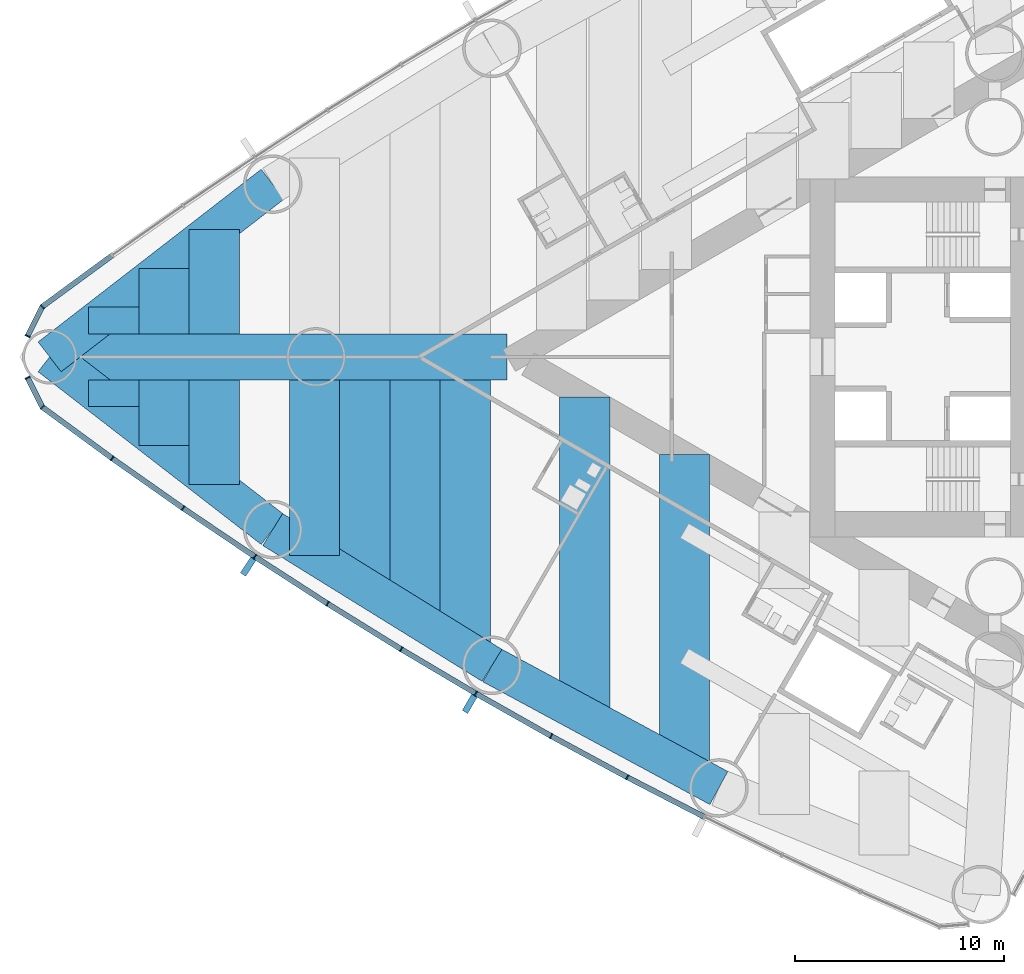
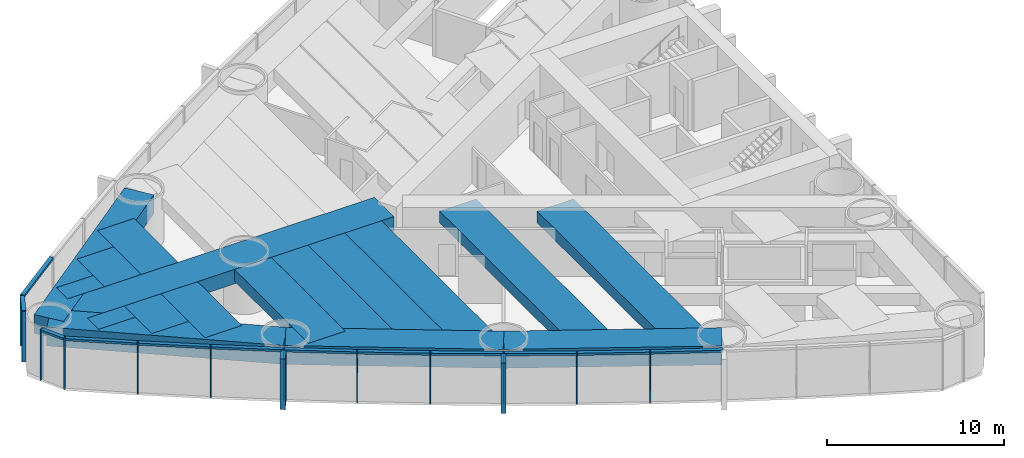
# One storey, part 2 of 19: 26 members, 17 beams, 2 elements without a shape of their own.
"""IFC4 building model written with IfcOpenShell, lengths in metres."""

from ifc_helpers import new_model, si_unit, direction, frame, origin, origin_2d, place, context, subcontext, project, spatial, rectangle, extrude, material, material_profile, profile_set, type_object, element, aggregate, save


model = new_model("IFC4")

# Units and contexts
model_context = context("Model", 3, precision=1e-05, world=origin(), true_north=direction((0.0, 1.0)))
body_context = subcontext(model_context, "Body", "Model", "MODEL_VIEW")
ifc_project = project(units=[si_unit("LENGTHUNIT", "METRE"), si_unit("AREAUNIT", "SQUARE_METRE"), si_unit("VOLUMEUNIT", "CUBIC_METRE"), si_unit("PLANEANGLEUNIT", "RADIAN"), si_unit("MASSUNIT", "GRAM", prefix="KILO")], contexts=[model_context])

# Site, building, storey
site_placement = place(None, origin())
site = spatial("IfcSite", under=ifc_project, at=site_placement, CompositionType="ELEMENT")
building_placement = place(site_placement, origin())
building = spatial("IfcBuilding", under=site, at=building_placement, Name="Lancet Gate Hotel", CompositionType="ELEMENT")
storey_placement = place(building_placement, frame((0.0, 0.0, 21.5)))
storey = spatial("IfcBuildingStorey", under=building, at=storey_placement, Name="L04", CompositionType="ELEMENT", Elevation=21.5)

# Curtain wall, members
ifc_material_1 = material(Name="Aluminium curtain wall", Category="aluminium")
curtain_wall_type = type_object("IfcCurtainWallType", Name="Tower unitised curtain wall", PredefinedType="USERDEFINED", material=ifc_material_1)
curtain_wall_1_placement = place(storey_placement, origin())
curtain_wall_1 = element("IfcCurtainWall", 1, at=curtain_wall_1_placement, inside=storey, type_object=curtain_wall_type, Name="T1 L04 curtain wall 2", ObjectType="UNITISED CURTAIN WALL", PredefinedType="USERDEFINED")
ifc_material_2 = material(Name="Aluminium mullion", Category="aluminium")
ifc_material_profile_1 = material_profile(ifc_material_2, rectangle(XDim=0.06494140625, YDim=0.25, at=origin_2d()), Name="MULLION 65x250")
ifc_profile_set_1 = profile_set([ifc_material_profile_1], Name="Aluminium mullion")
member_type_1 = type_object("IfcMemberType", Name="Aluminium mullion 65x250", PredefinedType="MULLION", material=ifc_profile_set_1)
member_1_placement = place(storey_placement, frame((-74.5830078125, 2.401611328125, 0.0), z_axis=(0.0, 0.0, 1.0), x_axis=(-0.723695580132, -0.690119342793, 0.0)))
member_1 = element("IfcMember", 2, at=member_1_placement, type_object=member_type_1, Name="T1 L04 curtain wall 2 mullion 14", PredefinedType="MULLION", context=body_context, shape_type="SweptSolid", body=[
    extrude(rectangle(XDim=0.06494140625, YDim=0.25, at=origin_2d()), origin(), (0.0, 0.0, 1.0), 3.5),
])
member_2_placement = place(storey_placement, frame((-75.287109375, 0.994873046875, 0.0), z_axis=(0.0, 0.0, 1.0), x_axis=(-0.447628324726, -0.89421970617, 0.0)))
member_2 = element("IfcMember", 3, at=member_2_placement, type_object=member_type_1, Name="T1 L04 curtain wall 2 mullion 15", PredefinedType="MULLION", context=body_context, shape_type="SweptSolid", body=[
    extrude(rectangle(XDim=0.06494140625, YDim=0.25, at=origin_2d()), origin(), (0.0, 0.0, 1.0), 3.5),
])

curtain_wall_2_placement = place(storey_placement, origin())
curtain_wall_2 = element("IfcCurtainWall", 4, at=curtain_wall_2_placement, inside=storey, type_object=curtain_wall_type, Name="T1 L04 curtain wall 3", ObjectType="UNITISED CURTAIN WALL", PredefinedType="USERDEFINED")
member_3_placement = place(storey_placement, frame((-75.287109375, -0.994873046875, 0.0), z_axis=(0.0, 0.0, 1.0), x_axis=(0.447628324726, -0.89421970617, 0.0)))
member_3 = element("IfcMember", 5, at=member_3_placement, type_object=member_type_1, Name="T1 L04 curtain wall 3 mullion 1", PredefinedType="MULLION", context=body_context, shape_type="SweptSolid", body=[
    extrude(rectangle(XDim=0.06494140625, YDim=0.25, at=origin_2d()), origin(), (0.0, 0.0, 1.0), 3.5),
])
member_4_placement = place(storey_placement, frame((-74.5830078125, -2.401611328125, 0.0), z_axis=(0.0, 0.0, 1.0), x_axis=(0.723695580132, -0.690119342793, 0.0)))
member_4 = element("IfcMember", 6, at=member_4_placement, type_object=member_type_1, Name="T1 L04 curtain wall 3 mullion 2", PredefinedType="MULLION", context=body_context, shape_type="SweptSolid", body=[
    extrude(rectangle(XDim=0.06494140625, YDim=0.25, at=origin_2d()), origin(), (0.0, 0.0, 1.0), 3.5),
])
member_5_placement = place(storey_placement, frame((-71.244384765625, -4.85009765625, 0.0), z_axis=(0.0, 0.0, 1.0), x_axis=(0.812146623168, -0.583453393578, 0.0)))
member_5 = element("IfcMember", 7, at=member_5_placement, type_object=member_type_1, Name="T1 L04 curtain wall 3 mullion 3", PredefinedType="MULLION", context=body_context, shape_type="SweptSolid", body=[
    extrude(rectangle(XDim=0.06494140625, YDim=0.25, at=origin_2d()), origin(), (0.0, 0.0, 1.0), 3.5),
])
member_6_placement = place(storey_placement, frame((-67.858154296875, -7.232666015625, 0.0), z_axis=(0.0, 0.0, 1.0), x_axis=(0.823425148573, -0.56742490666, 0.0)))
member_6 = element("IfcMember", 8, at=member_6_placement, type_object=member_type_1, Name="T1 L04 curtain wall 3 mullion 4", PredefinedType="MULLION", context=body_context, shape_type="SweptSolid", body=[
    extrude(rectangle(XDim=0.06494140625, YDim=0.25, at=origin_2d()), origin(), (0.0, 0.0, 1.0), 3.5),
])
member_7_placement = place(storey_placement, frame((-64.42626953125, -9.548583984375, 0.0), z_axis=(0.0, 0.0, 1.0), x_axis=(0.834387381945, -0.55117846189, 0.0)))
member_7 = element("IfcMember", 9, at=member_7_placement, type_object=member_type_1, Name="T1 L04 curtain wall 3 mullion 5", PredefinedType="MULLION", context=body_context, shape_type="SweptSolid", body=[
    extrude(rectangle(XDim=0.06494140625, YDim=0.25, at=origin_2d()), origin(), (0.0, 0.0, 1.0), 3.5),
])
member_8_placement = place(storey_placement, frame((-60.949462890625, -11.796630859375, 0.0), z_axis=(0.0, 0.0, 1.0), x_axis=(0.845029112489, -0.534720299827, 0.0)))
member_8 = element("IfcMember", 10, at=member_8_placement, type_object=member_type_1, Name="T1 L04 curtain wall 3 mullion 6", PredefinedType="MULLION", context=body_context, shape_type="SweptSolid", body=[
    extrude(rectangle(XDim=0.06494140625, YDim=0.25, at=origin_2d()), origin(), (0.0, 0.0, 1.0), 3.5),
])
member_9_placement = place(storey_placement, frame((-57.42919921875, -13.97607421875, 0.0), z_axis=(0.0, 0.0, 1.0), x_axis=(0.855346252548, -0.518056742309, 0.0)))
member_9 = element("IfcMember", 11, at=member_9_placement, type_object=member_type_1, Name="T1 L04 curtain wall 3 mullion 7", PredefinedType="MULLION", context=body_context, shape_type="SweptSolid", body=[
    extrude(rectangle(XDim=0.06494140625, YDim=0.25, at=origin_2d()), origin(), (0.0, 0.0, 1.0), 3.5),
])
member_10_placement = place(storey_placement, frame((-53.866943359375, -16.086181640625, 0.0), z_axis=(0.0, 0.0, 1.0), x_axis=(0.86533483912, -0.501194190115, 0.0)))
member_10 = element("IfcMember", 12, at=member_10_placement, type_object=member_type_1, Name="T1 L04 curtain wall 3 mullion 8", PredefinedType="MULLION", context=body_context, shape_type="SweptSolid", body=[
    extrude(rectangle(XDim=0.06494140625, YDim=0.25, at=origin_2d()), origin(), (0.0, 0.0, 1.0), 3.5),
])
member_11_placement = place(storey_placement, frame((-50.26416015625, -18.1259765625, 0.0), z_axis=(0.0, 0.0, 1.0), x_axis=(0.874991035403, -0.484139120464, 0.0)))
member_11 = element("IfcMember", 13, at=member_11_placement, type_object=member_type_1, Name="T1 L04 curtain wall 3 mullion 9", PredefinedType="MULLION", context=body_context, shape_type="SweptSolid", body=[
    extrude(rectangle(XDim=0.06494140625, YDim=0.25, at=origin_2d()), origin(), (0.0, 0.0, 1.0), 3.5),
])
member_12_placement = place(storey_placement, frame((-46.6220703125, -20.094970703125, 0.0), z_axis=(0.0, 0.0, 1.0), x_axis=(0.884311132302, -0.466898084475, 0.0)))
member_12 = element("IfcMember", 14, at=member_12_placement, type_object=member_type_1, Name="T1 L04 curtain wall 3 mullion 10", PredefinedType="MULLION", context=body_context, shape_type="SweptSolid", body=[
    extrude(rectangle(XDim=0.06494140625, YDim=0.25, at=origin_2d()), origin(), (0.0, 0.0, 1.0), 3.5),
])

# Member
ifc_material_3 = material(Name="Aluminium transom", Category="aluminium")
ifc_material_profile_2 = material_profile(ifc_material_3, rectangle(XDim=0.25, YDim=0.14990234375, at=origin_2d()), Name="TRANSOM 250x150")
ifc_profile_set_2 = profile_set([ifc_material_profile_2], Name="Aluminium transom")
member_type_2 = type_object("IfcMemberType", Name="Aluminium transom 250x150", PredefinedType="USERDEFINED", material=ifc_profile_set_2)
member_13_placement = place(storey_placement, frame((-71.2705078125, 4.8310546875, 3.425048828125), z_axis=(-0.806366902144, -0.59141560609, 0.0), x_axis=(0.59141560609, -0.806366902144, 0.0)))
member_13 = element("IfcMember", 15, at=member_13_placement, type_object=member_type_2, Name="T1 L04 curtain wall 2 transom 13", ObjectType="TRANSOM", PredefinedType="USERDEFINED", context=body_context, shape_type="SweptSolid", body=[
    extrude(rectangle(XDim=0.25, YDim=0.14990234375, at=origin_2d()), origin(), (0.0, 0.0, 1.0), 4.0751953125),
])

member_14_placement = place(storey_placement, frame((-74.597412109375, 2.37255859375, 3.425048828125), z_axis=(-0.447731503446, -0.894168049542, 0.0), x_axis=(0.894168049542, -0.447731503446, 0.0)))
member_14 = element("IfcMember", 16, at=member_14_placement, type_object=member_type_2, Name="T1 L04 curtain wall 2 transom 14", ObjectType="TRANSOM", PredefinedType="USERDEFINED", context=body_context, shape_type="SweptSolid", body=[
    extrude(rectangle(XDim=0.25, YDim=0.14990234375, at=origin_2d()), origin(), (0.0, 0.0, 1.0), 1.50830078125),
])

aggregate(curtain_wall_1, [member_1, member_2, member_13, member_14])

member_15_placement = place(storey_placement, frame((-75.272705078125, -1.02392578125, 3.425048828125), z_axis=(0.447731503446, -0.894168049542, 0.0), x_axis=(0.894168049542, 0.447731503446, 0.0)))
member_15 = element("IfcMember", 17, at=member_15_placement, type_object=member_type_2, Name="T1 L04 curtain wall 3 transom 1", ObjectType="TRANSOM", PredefinedType="USERDEFINED", context=body_context, shape_type="SweptSolid", body=[
    extrude(rectangle(XDim=0.25, YDim=0.14990234375, at=origin_2d()), origin(), (0.0, 0.0, 1.0), 1.50830078125),
])

member_16_placement = place(storey_placement, frame((-74.556640625, -2.4208984375, 3.425048828125), z_axis=(0.806366902144, -0.59141560609, 0.0), x_axis=(0.59141560609, 0.806366902144, 0.0)))
member_16 = element("IfcMember", 18, at=member_16_placement, type_object=member_type_2, Name="T1 L04 curtain wall 3 transom 2", ObjectType="TRANSOM", PredefinedType="USERDEFINED", context=body_context, shape_type="SweptSolid", body=[
    extrude(rectangle(XDim=0.25, YDim=0.14990234375, at=origin_2d()), origin(), (0.0, 0.0, 1.0), 4.0751953125),
])

member_17_placement = place(storey_placement, frame((-71.2177734375, -4.868896484375, 3.425048828125), z_axis=(0.817833568345, -0.57545482402, 0.0), x_axis=(0.57545482402, 0.817833568345, 0.0)))
member_17 = element("IfcMember", 19, at=member_17_placement, type_object=member_type_2, Name="T1 L04 curtain wall 3 transom 3", ObjectType="TRANSOM", PredefinedType="USERDEFINED", context=body_context, shape_type="SweptSolid", body=[
    extrude(rectangle(XDim=0.25, YDim=0.14990234375, at=origin_2d()), origin(), (0.0, 0.0, 1.0), 4.075439453125),
])

member_18_placement = place(storey_placement, frame((-67.831298828125, -7.2509765625, 3.425048828125), z_axis=(0.828959086782, -0.559309245804, 0.0), x_axis=(0.559309245804, 0.828959086782, 0.0)))
member_18 = element("IfcMember", 20, at=member_18_placement, type_object=member_type_2, Name="T1 L04 curtain wall 3 transom 4", ObjectType="TRANSOM", PredefinedType="USERDEFINED", context=body_context, shape_type="SweptSolid", body=[
    extrude(rectangle(XDim=0.25, YDim=0.14990234375, at=origin_2d()), origin(), (0.0, 0.0, 1.0), 4.0751953125),
])

member_19_placement = place(storey_placement, frame((-64.39892578125, -9.566162109375, 3.425048828125), z_axis=(0.839729242404, -0.543005340169, 0.0), x_axis=(0.543005340169, 0.839729242404, 0.0)))
member_19 = element("IfcMember", 21, at=member_19_placement, type_object=member_type_2, Name="T1 L04 curtain wall 3 transom 5", ObjectType="TRANSOM", PredefinedType="USERDEFINED", context=body_context, shape_type="SweptSolid", body=[
    extrude(rectangle(XDim=0.25, YDim=0.14990234375, at=origin_2d()), origin(), (0.0, 0.0, 1.0), 4.0751953125),
])

member_20_placement = place(storey_placement, frame((-60.921875, -11.813720703125, 3.425048828125), z_axis=(0.850242165643, -0.526391736032, 0.0), x_axis=(0.526391736032, 0.850242165643, 0.0)))
member_20 = element("IfcMember", 22, at=member_20_placement, type_object=member_type_2, Name="T1 L04 curtain wall 3 transom 6", ObjectType="TRANSOM", PredefinedType="USERDEFINED", context=body_context, shape_type="SweptSolid", body=[
    extrude(rectangle(XDim=0.25, YDim=0.14990234375, at=origin_2d()), origin(), (0.0, 0.0, 1.0), 4.075439453125),
])

member_21_placement = place(storey_placement, frame((-57.4013671875, -13.99267578125, 3.425048828125), z_axis=(0.86039174806, -0.509633240547, 0.0), x_axis=(0.509633240547, 0.86039174806, 0.0)))
member_21 = element("IfcMember", 23, at=member_21_placement, type_object=member_type_2, Name="T1 L04 curtain wall 3 transom 7", ObjectType="TRANSOM", PredefinedType="USERDEFINED", context=body_context, shape_type="SweptSolid", body=[
    extrude(rectangle(XDim=0.25, YDim=0.14990234375, at=origin_2d()), origin(), (0.0, 0.0, 1.0), 4.0751953125),
])

member_22_placement = place(storey_placement, frame((-53.838623046875, -16.102294921875, 3.425048828125), z_axis=(0.870197729943, -0.492702659625, 0.0), x_axis=(0.492702659625, 0.870197729943, 0.0)))
member_22 = element("IfcMember", 24, at=member_22_placement, type_object=member_type_2, Name="T1 L04 curtain wall 3 transom 8", ObjectType="TRANSOM", PredefinedType="USERDEFINED", context=body_context, shape_type="SweptSolid", body=[
    extrude(rectangle(XDim=0.25, YDim=0.14990234375, at=origin_2d()), origin(), (0.0, 0.0, 1.0), 4.0751953125),
])

member_23_placement = place(storey_placement, frame((-50.235595703125, -18.1416015625, 3.425048828125), z_axis=(0.87971396408, -0.475503250675, 0.0), x_axis=(0.475503250675, 0.87971396408, 0.0)))
member_23 = element("IfcMember", 25, at=member_23_placement, type_object=member_type_2, Name="T1 L04 curtain wall 3 transom 9", ObjectType="TRANSOM", PredefinedType="USERDEFINED", context=body_context, shape_type="SweptSolid", body=[
    extrude(rectangle(XDim=0.25, YDim=0.14990234375, at=origin_2d()), origin(), (0.0, 0.0, 1.0), 4.0751953125),
])

member_24_placement = place(storey_placement, frame((-46.593017578125, -20.10986328125, 3.425048828125), z_axis=(0.888859972399, -0.458178949175, 0.0), x_axis=(0.458178949175, 0.888859972399, 0.0)))
member_24 = element("IfcMember", 26, at=member_24_placement, type_object=member_type_2, Name="T1 L04 curtain wall 3 transom 10", ObjectType="TRANSOM", PredefinedType="USERDEFINED", context=body_context, shape_type="SweptSolid", body=[
    extrude(rectangle(XDim=0.25, YDim=0.14990234375, at=origin_2d()), origin(), (0.0, 0.0, 1.0), 4.0751953125),
])

# Beams
ifc_material_4 = material(Name="Concrete C50/60", Category="concrete")
ifc_material_profile_3 = material_profile(ifc_material_4, rectangle(XDim=1.800048828125, YDim=1.300048828125, at=origin_2d()), Name="RC 1800x1300")
ifc_profile_set_3 = profile_set([ifc_material_profile_3], Name="Concrete C50/60")
beam_type_1 = type_object("IfcBeamType", Name="Edge beam RC 1800x1300", PredefinedType="SPANDREL", material=ifc_profile_set_3)
for number, where, z_axis, x_axis, name in (
    (27, (-63.57177734375, 8.255126953125, 2.60009765625), (-0.790736428665, -0.612156761281, 0.0), (0.612156761281, -0.790736428665, 0.0), "T1 edge beam EB1 L04"),
    (28, (-74.235107421875, 0.0, 2.60009765625), (0.790736428665, -0.612156761281, 0.0), (0.612156761281, 0.790736428665, 0.0), "T1 edge beam EB1 L04"),
):
    element("IfcBeam", number, at=place(storey_placement, frame(where, z_axis=z_axis, x_axis=x_axis)), inside=storey, type_object=beam_type_1, Name=name, PredefinedType="SPANDREL", context=body_context, shape_type="SweptSolid", body=[
        extrude(rectangle(XDim=1.800048828125, YDim=1.300048828125, at=origin_2d()), origin(), (0.0, 0.0, 1.0), 13.4853515625),
    ])
for number, where, z_axis, x_axis, name in (
    (29, (-63.57177734375, -8.255126953125, 2.60009765625), (0.850225894333, -0.526418016984, 0.0), (0.526418016984, 0.850225894333, 0.0), "T1 edge beam EB1 L04"),
    (30, (-53.090087890625, -14.744873046875, 2.60009765625), (0.879692855603, -0.475542300749, 0.0), (0.475542300749, 0.879692855603, 0.0), "T1 edge beam EB1 L04"),
):
    element("IfcBeam", number, at=place(storey_placement, frame(where, z_axis=z_axis, x_axis=x_axis)), inside=storey, type_object=beam_type_1, Name=name, PredefinedType="SPANDREL", context=body_context, shape_type="SweptSolid", body=[
        extrude(rectangle(XDim=1.800048828125, YDim=1.300048828125, at=origin_2d()), origin(), (0.0, 0.0, 1.0), 12.328125),
    ])

# Member
ifc_material_5 = material(Name="Precast concrete C50/60", Category="concrete")
ifc_material_profile_4 = material_profile(ifc_material_5, rectangle(XDim=0.300048828125, YDim=0.89990234375, at=origin_2d()), Name="FIN 300x900")
ifc_profile_set_4 = profile_set([ifc_material_profile_4], Name="Precast concrete C50/60")
member_type_3 = type_object("IfcMemberType", Name="Exposed concrete fin 300x900", PredefinedType="USERDEFINED", material=ifc_profile_set_4)
member_25_placement = place(storey_placement, frame((-64.7431640625, -10.0283203125, 0.0), z_axis=(0.0, 0.0, 1.0), x_axis=(0.834387381945, -0.55117846189, 0.0)))
member_25 = element("IfcMember", 31, at=member_25_placement, type_object=member_type_3, Name="T1 L04 curtain wall 3 fin 5", ObjectType="FIN", PredefinedType="USERDEFINED", context=body_context, shape_type="SweptSolid", body=[
    extrude(rectangle(XDim=0.300048828125, YDim=0.89990234375, at=origin_2d()), origin(), (0.0, 0.0, 1.0), 3.5),
])

member_26_placement = place(storey_placement, frame((-54.1552734375, -16.583740234375, 0.0), z_axis=(0.0, 0.0, 1.0), x_axis=(0.86533483912, -0.501194190115, 0.0)))
member_26 = element("IfcMember", 32, at=member_26_placement, type_object=member_type_3, Name="T1 L04 curtain wall 3 fin 8", ObjectType="FIN", PredefinedType="USERDEFINED", context=body_context, shape_type="SweptSolid", body=[
    extrude(rectangle(XDim=0.300048828125, YDim=0.89990234375, at=origin_2d()), origin(), (0.0, 0.0, 1.0), 3.5),
])

aggregate(curtain_wall_2, [member_3, member_4, member_5, member_6, member_7, member_25, member_8, member_9, member_10, member_26, member_11, member_12, member_15, member_16, member_17, member_18, member_19, member_20, member_21, member_22, member_23, member_24])

# Beams
ifc_material_6 = material(Name="Concrete C50/60", Category="concrete")
ifc_material_profile_5 = material_profile(ifc_material_6, rectangle(XDim=2.39990234375, YDim=0.800048828125, at=origin_2d()), Name="RC 2400x800")
ifc_profile_set_5 = profile_set([ifc_material_profile_5], Name="Concrete C50/60")
beam_type_2 = type_object("IfcBeamType", Name="Floor beam RC 2400x800", PredefinedType="BEAM", material=ifc_profile_set_5)
beam_1_placement = place(storey_placement, frame((-43.891357421875, -4.663330078125, 2.85009765625), z_axis=(0.0, -1.0, 0.0), x_axis=(1.0, 0.0, 0.0)))
element("IfcBeam", 33, at=beam_1_placement, inside=storey, type_object=beam_type_2, Name="T1 floor beam F08N L04", PredefinedType="BEAM", context=body_context, shape_type="SweptSolid", body=[
    extrude(rectangle(XDim=2.39990234375, YDim=0.800048828125, at=origin_2d()), origin(), (0.0, 0.0, 1.0), 15.05419921875),
])
beam_2_placement = place(storey_placement, frame((-48.66015625, -1.909912109375, 2.85009765625), z_axis=(0.0, -1.0, 0.0), x_axis=(1.0, 0.0, 0.0)))
element("IfcBeam", 34, at=beam_2_placement, inside=storey, type_object=beam_type_2, Name="T1 floor beam F11N L04", PredefinedType="BEAM", context=body_context, shape_type="SweptSolid", body=[
    extrude(rectangle(XDim=2.39990234375, YDim=0.800048828125, at=origin_2d()), origin(), (0.0, 0.0, 1.0), 15.229736328125),
])
beam_3_placement = place(storey_placement, frame((-54.3681640625, -1.10009765625, 2.85009765625), z_axis=(0.0, -1.0, 0.0), x_axis=(1.0, 0.0, 0.0)))
element("IfcBeam", 35, at=beam_3_placement, inside=storey, type_object=beam_type_2, Name="T1 floor beam F14N L04", PredefinedType="BEAM", context=body_context, shape_type="SweptSolid", body=[
    extrude(rectangle(XDim=2.39990234375, YDim=0.800048828125, at=origin_2d()), origin(), (0.0, 0.0, 1.0), 12.853515625),
])
beam_4_placement = place(storey_placement, frame((-56.768310546875, -1.10009765625, 2.85009765625), z_axis=(0.0, -1.0, 0.0), x_axis=(1.0, 0.0, 0.0)))
element("IfcBeam", 36, at=beam_4_placement, inside=storey, type_object=beam_type_2, Name="T1 floor beam F16N L04", PredefinedType="BEAM", context=body_context, shape_type="SweptSolid", body=[
    extrude(rectangle(XDim=2.39990234375, YDim=0.800048828125, at=origin_2d()), origin(), (0.0, 0.0, 1.0), 11.367431640625),
])
beam_5_placement = place(storey_placement, frame((-59.168212890625, -1.10009765625, 2.85009765625), z_axis=(0.0, -1.0, 0.0), x_axis=(1.0, 0.0, 0.0)))
element("IfcBeam", 37, at=beam_5_placement, inside=storey, type_object=beam_type_2, Name="T1 floor beam F18N L04", PredefinedType="BEAM", context=body_context, shape_type="SweptSolid", body=[
    extrude(rectangle(XDim=2.39990234375, YDim=0.800048828125, at=origin_2d()), origin(), (0.0, 0.0, 1.0), 9.881591796875),
])
beam_6_placement = place(storey_placement, frame((-61.568359375, -1.10009765625, 2.85009765625), z_axis=(0.0, -1.0, 0.0), x_axis=(1.0, 0.0, 0.0)))
element("IfcBeam", 38, at=beam_6_placement, inside=storey, type_object=beam_type_2, Name="T1 floor beam F20N L04", PredefinedType="BEAM", context=body_context, shape_type="SweptSolid", body=[
    extrude(rectangle(XDim=2.39990234375, YDim=0.800048828125, at=origin_2d()), origin(), (0.0, 0.0, 1.0), 8.395751953125),
])
for number, where, z_axis, x_axis, name in (
    (39, (-66.3681640625, 6.09033203125, 2.85009765625), (0.0, -1.0, 0.0), (1.0, 0.0, 0.0), "T1 floor beam F21S L04"),
    (40, (-66.3681640625, -1.10009765625, 2.85009765625), (0.0, -1.0, 0.0), (1.0, 0.0, 0.0), "T1 floor beam F22N L04"),
):
    element("IfcBeam", number, at=place(storey_placement, frame(where, z_axis=z_axis, x_axis=x_axis)), inside=storey, type_object=beam_type_2, Name=name, PredefinedType="BEAM", context=body_context, shape_type="SweptSolid", body=[
        extrude(rectangle(XDim=2.39990234375, YDim=0.800048828125, at=origin_2d()), origin(), (0.0, 0.0, 1.0), 4.990234375),
    ])
for number, where, z_axis, x_axis, name in (
    (41, (-68.768310546875, 4.232421875, 2.85009765625), (0.0, -1.0, 0.0), (1.0, 0.0, 0.0), "T1 floor beam F23S L04"),
    (42, (-68.768310546875, -1.10009765625, 2.85009765625), (0.0, -1.0, 0.0), (1.0, 0.0, 0.0), "T1 floor beam F24N L04"),
):
    element("IfcBeam", number, at=place(storey_placement, frame(where, z_axis=z_axis, x_axis=x_axis)), inside=storey, type_object=beam_type_2, Name=name, PredefinedType="BEAM", context=body_context, shape_type="SweptSolid", body=[
        extrude(rectangle(XDim=2.39990234375, YDim=0.800048828125, at=origin_2d()), origin(), (0.0, 0.0, 1.0), 3.13232421875),
    ])
for number, where, z_axis, x_axis, name in (
    (43, (-71.168212890625, 2.374267578125, 2.85009765625), (0.0, -1.0, 0.0), (1.0, 0.0, 0.0), "T1 floor beam F25S L04"),
    (44, (-71.168212890625, -1.10009765625, 2.85009765625), (0.0, -1.0, 0.0), (1.0, 0.0, 0.0), "T1 floor beam F26N L04"),
):
    element("IfcBeam", number, at=place(storey_placement, frame(where, z_axis=z_axis, x_axis=x_axis)), inside=storey, type_object=beam_type_2, Name=name, PredefinedType="BEAM", context=body_context, shape_type="SweptSolid", body=[
        extrude(rectangle(XDim=2.39990234375, YDim=0.800048828125, at=origin_2d()), origin(), (0.0, 0.0, 1.0), 1.274169921875),
    ])
ifc_material_7 = material(Name="Concrete C50/60", Category="concrete")
ifc_material_profile_6 = material_profile(ifc_material_7, rectangle(XDim=2.199951171875, YDim=1.0, at=origin_2d()), Name="RC 2200x1000")
ifc_profile_set_6 = profile_set([ifc_material_profile_6], Name="Concrete C50/60")
beam_type_3 = type_object("IfcBeamType", Name="Radial floor beam RC 2200x1000", PredefinedType="BEAM", material=ifc_profile_set_6)
beam_7_placement = place(storey_placement, frame((-74.235107421875, 0.0, 2.75), z_axis=(1.0, 0.0, 0.0), x_axis=(0.0, 1.0, 0.0)))
element("IfcBeam", 45, at=beam_7_placement, inside=storey, type_object=beam_type_3, Name="T1 radial beam CA L04", PredefinedType="BEAM", context=body_context, shape_type="SweptSolid", body=[
    extrude(rectangle(XDim=2.199951171875, YDim=1.0, at=origin_2d()), origin(), (0.0, 0.0, 1.0), 21.866943359375),
])

save(model, "model.ifc")
